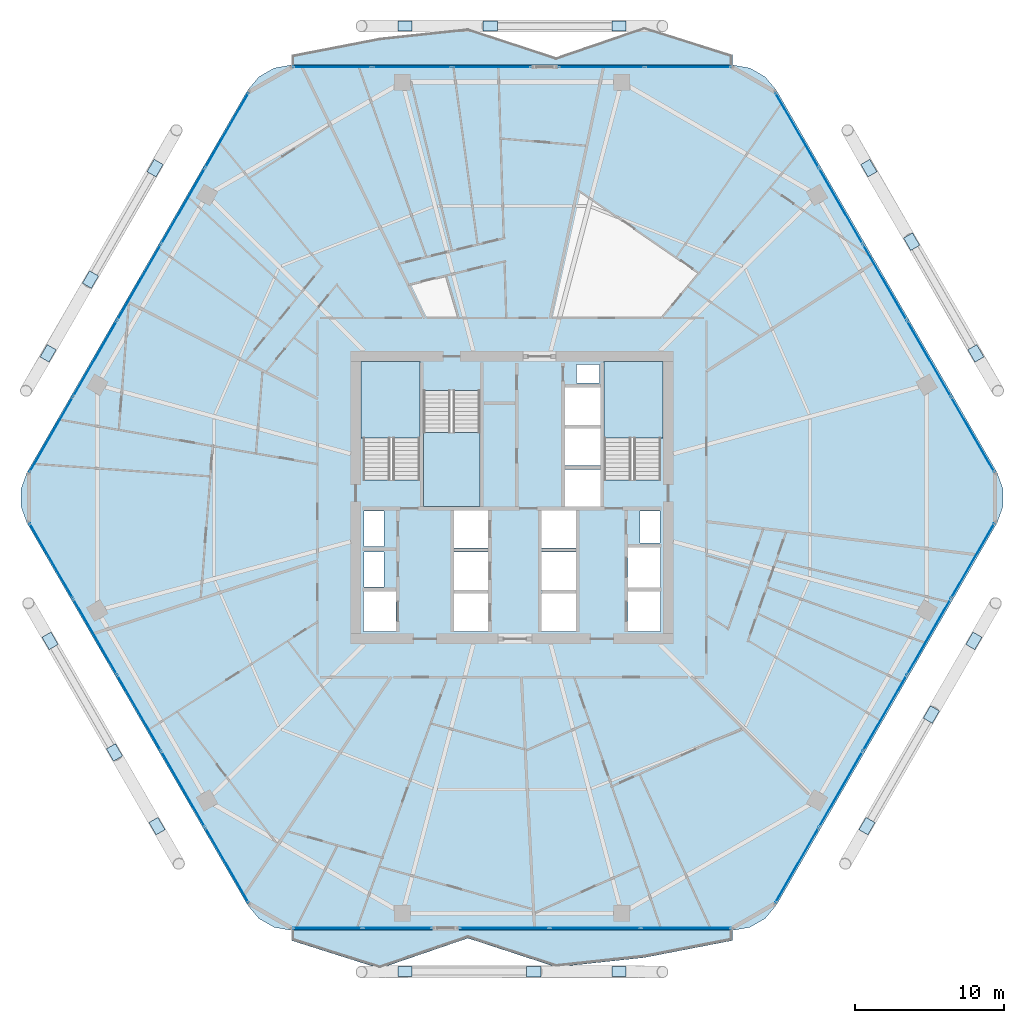
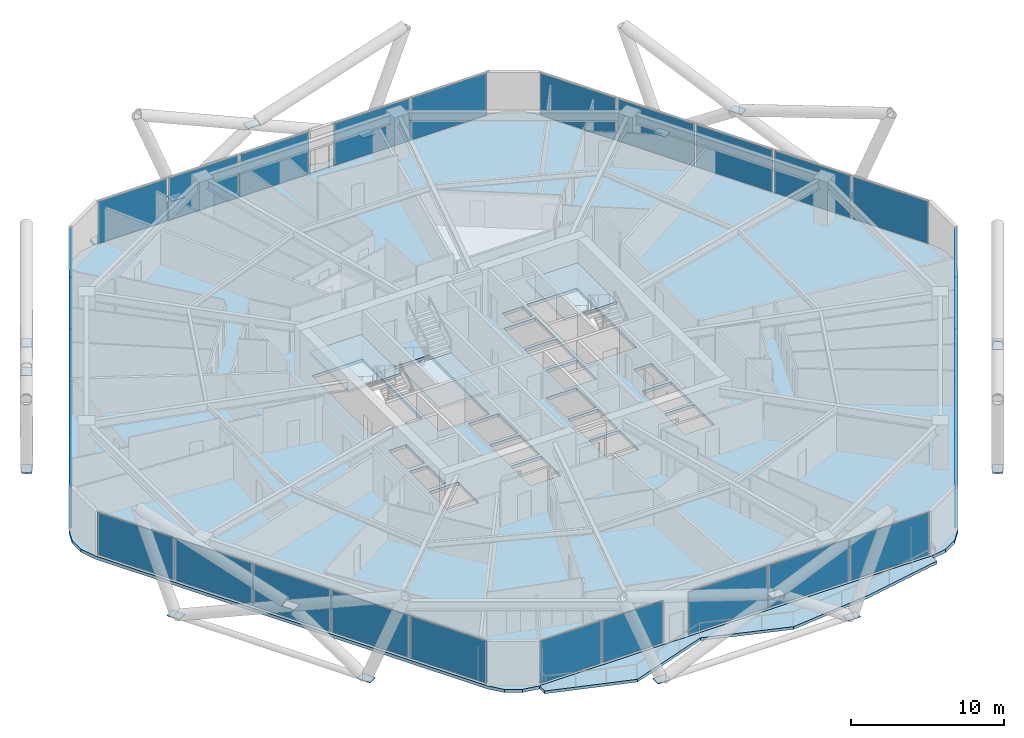
# One storey, part 26 of 35: 48 plates, 6 slabs, 11 elements without a shape of their own.
"""IFC4 building model written with IfcOpenShell, lengths in metres."""

from ifc_helpers import new_model, si_unit, direction, frame, origin, origin_2d, place, context, subcontext, project, spatial, polyline, rectangle, outline, extrude, material, layer, layer_set, type_object, element, aggregate, save


model = new_model("IFC4")

# Units and contexts
model_context = context("Model", 3, precision=1e-05, world=origin(), true_north=direction((0.0, 1.0)))
body_context = subcontext(model_context, "Body", "Model", "MODEL_VIEW")
ifc_project = project(units=[si_unit("LENGTHUNIT", "METRE"), si_unit("AREAUNIT", "SQUARE_METRE"), si_unit("VOLUMEUNIT", "CUBIC_METRE"), si_unit("PLANEANGLEUNIT", "RADIAN"), si_unit("MASSUNIT", "GRAM", prefix="KILO")], contexts=[model_context])

# Site, building, storey
site_placement = place(None, origin())
site = spatial("IfcSite", under=ifc_project, at=site_placement, CompositionType="ELEMENT")
building_placement = place(site_placement, origin())
building = spatial("IfcBuilding", under=site, at=building_placement, Name="Zuhravey Tower", CompositionType="ELEMENT")
storey_placement = place(building_placement, frame((0.0, 0.0, 115.199951171875)))
storey = spatial("IfcBuildingStorey", under=building, at=storey_placement, Name="L28", CompositionType="ELEMENT", Elevation=115.199951171875)

# Plates
ifc_material_1 = material(Name="Steel SM460", Category="steel")
ifc_layer_1 = layer(ifc_material_1, 0.0400390625)
ifc_layer_set_1 = layer_set([ifc_layer_1], Name="Steel SM460")
plate_type_1 = type_object("IfcPlateType", Name="Exoskeleton Zone 1 Node Plate ND1", PredefinedType="SHEET", material=ifc_layer_set_1)
for number, where, z_axis, x_axis, name in (
    (1, (67.19580078125, 41.7041015625, -0.48388671875), (0.0, 0.0, 1.0), (-0.5, 0.866025403784, 0.0), "L28 Exoskeleton Node Gusset L28-01"),
    (2, (60.001953125, 54.164306640625, -0.48388671875), (0.0, 0.0, 1.0), (-0.5, 0.866025403784, 0.0), "L28 Exoskeleton Node Gusset L28-02"),
    (3, (43.19384765625, 63.718505859375, -0.48388671875), (0.0, 0.0, 1.0), (-1.0, 0.0, 0.0), "L28 Exoskeleton Node Gusset L28-03"),
    (4, (28.80615234375, 63.718505859375, -0.48388671875), (0.0, 0.0, 1.0), (-1.0, 0.0, 0.0), "L28 Exoskeleton Node Gusset L28-04"),
    (5, (11.998046875, 54.164306640625, -0.48388671875), (0.0, 0.0, 1.0), (-0.5, -0.866025403784, 0.0), "L28 Exoskeleton Node Gusset L28-05"),
    (6, (4.80419921875, 41.7041015625, -0.48388671875), (0.0, 0.0, 1.0), (-0.5, -0.866025403784, 0.0), "L28 Exoskeleton Node Gusset L28-06"),
    (7, (4.93408203125, 22.370849609375, -0.48388671875), (0.0, 0.0, 1.0), (0.5, -0.866025403784, 0.0), "L28 Exoskeleton Node Gusset L28-07"),
    (8, (12.1279296875, 9.91064453125, -0.48388671875), (0.0, 0.0, 1.0), (0.5, -0.866025403784, 0.0), "L28 Exoskeleton Node Gusset L28-08"),
    (9, (28.80615234375, 0.131591796875, -0.48388671875), (0.0, 0.0, 1.0), (1.0, 0.0, 0.0), "L28 Exoskeleton Node Gusset L28-09"),
    (10, (43.19384765625, 0.131591796875, -0.48388671875), (0.0, 0.0, 1.0), (1.0, 0.0, 0.0), "L28 Exoskeleton Node Gusset L28-10"),
    (11, (59.8720703125, 9.91064453125, -0.48388671875), (0.0, 0.0, 1.0), (0.5, 0.866025403784, 0.0), "L28 Exoskeleton Node Gusset L28-11"),
    (12, (67.06591796875, 22.370849609375, -0.48388671875), (0.0, 0.0, 1.0), (0.5, 0.866025403784, 0.0), "L28 Exoskeleton Node Gusset L28-12"),
    (13, (62.876220703125, 49.216064453125, 3.31591796875), (0.0, 0.0, 1.0), (-0.5, 0.866025403784, 0.0), "L28 Face 1 Diagrid X-Crossing Plate"),
    (14, (34.528564453125, 63.718505859375, 3.31591796875), (0.0, 0.0, 1.0), (-1.0, 0.0, 0.0), "L28 Face 2 Diagrid X-Crossing Plate"),
    (15, (7.65234375, 46.66748046875, 3.31591796875), (0.0, 0.0, 1.0), (-0.5, -0.866025403784, 0.0), "L28 Face 3 Diagrid X-Crossing Plate"),
    (16, (9.266845703125, 14.866455078125, 3.31591796875), (0.0, 0.0, 1.0), (0.5, -0.866025403784, 0.0), "L28 Face 4 Diagrid X-Crossing Plate"),
    (17, (37.471435546875, 0.116455078125, 3.31591796875), (0.0, 0.0, 1.0), (1.0, 0.0, 0.0), "L28 Face 5 Diagrid X-Crossing Plate"),
    (18, (64.204833984375, 17.4150390625, 3.31591796875), (0.0, 0.0, 1.0), (0.5, 0.866025403784, 0.0), "L28 Face 6 Diagrid X-Crossing Plate"),
):
    element("IfcPlate", number, at=place(storey_placement, frame(where, z_axis=z_axis, x_axis=x_axis)), inside=storey, type_object=plate_type_1, Name=name, PredefinedType="SHEET", context=body_context, shape_type="SweptSolid", body=[
        extrude(rectangle(XDim=0.9599609375, YDim=0.699951171875, at=origin_2d()), origin(), (0.0, 0.0, 1.0), 0.0400390625),
    ])

# Slabs
ifc_material_2 = material(Name="Concrete C50/60", Category="concrete")
ifc_layer_2 = layer(ifc_material_2, 0.25)
ifc_layer_set_2 = layer_set([ifc_layer_2], Name="Concrete C50/60")
slab_type_1 = type_object("IfcSlabType", Name="Residential Acoustic Slab 250", PredefinedType="FLOOR", material=ifc_layer_set_2)
slab_1_placement = place(storey_placement, frame((0.0, 0.0, -0.25)))
element("IfcSlab", 19, at=slab_1_placement, inside=storey, type_object=slab_type_1, Name="L28 Floor Slab FS25", PredefinedType="FLOOR", context=body_context, shape_type="SweptSolid", body=[
    extrude(outline(polyline([(68.618408203125, 30.300048828125), (69.0224609375, 31.40966796875), (69.0224609375, 32.59033203125), (68.618408203125, 33.699951171875), (53.781494140625, 59.3984375), (53.0224609375, 60.302978515625), (52.0, 60.893310546875), (50.8369140625, 61.098388671875), (21.1630859375, 61.098388671875), (20.0, 60.893310546875), (18.9775390625, 60.302978515625), (18.218505859375, 59.3984375), (3.381591796875, 33.699951171875), (2.9775390625, 32.59033203125), (2.9775390625, 31.40966796875), (3.381591796875, 30.300048828125), (18.218505859375, 4.6015625), (18.9775390625, 3.697021484375), (20.0, 3.106689453125), (21.1630859375, 2.901611328125), (50.8369140625, 2.901611328125), (52.0, 3.106689453125), (53.0224609375, 3.697021484375), (53.781494140625, 4.6015625), (68.618408203125, 30.300048828125)]), holes=[polyline([(29.800048828125, 33.20068359375), (29.800048828125, 41.0), (26.0, 41.0), (26.0, 33.20068359375), (29.800048828125, 33.20068359375)]), polyline([(46.0, 33.20068359375), (46.0, 41.0), (42.199951171875, 41.0), (42.199951171875, 33.20068359375), (46.0, 33.20068359375)]), polyline([(30.050048828125, 39.199462890625), (30.050048828125, 31.39990234375), (33.85009765625, 31.39990234375), (33.85009765625, 39.199462890625), (30.050048828125, 39.199462890625)]), polyline([(32.10009765625, 23.0), (34.39990234375, 23.0), (34.39990234375, 25.550048828125), (32.10009765625, 25.550048828125), (32.10009765625, 23.0)]), polyline([(32.10009765625, 25.800048828125), (34.39990234375, 25.800048828125), (34.39990234375, 28.35009765625), (32.10009765625, 28.35009765625), (32.10009765625, 25.800048828125)]), polyline([(32.10009765625, 28.60009765625), (34.39990234375, 28.60009765625), (34.39990234375, 31.14990234375), (32.10009765625, 31.14990234375), (32.10009765625, 28.60009765625)]), polyline([(38.0, 23.0), (40.300048828125, 23.0), (40.300048828125, 25.550048828125), (38.0, 25.550048828125), (38.0, 23.0)]), polyline([(38.0, 25.800048828125), (40.300048828125, 25.800048828125), (40.300048828125, 28.35009765625), (38.0, 28.35009765625), (38.0, 25.800048828125)]), polyline([(38.0, 28.60009765625), (40.300048828125, 28.60009765625), (40.300048828125, 31.14990234375), (38.0, 31.14990234375), (38.0, 28.60009765625)]), polyline([(39.550048828125, 31.39990234375), (41.949951171875, 31.39990234375), (41.949951171875, 33.89990234375), (39.550048828125, 33.89990234375), (39.550048828125, 31.39990234375)]), polyline([(39.550048828125, 34.14990234375), (41.949951171875, 34.14990234375), (41.949951171875, 36.64990234375), (39.550048828125, 36.64990234375), (39.550048828125, 34.14990234375)]), polyline([(39.550048828125, 36.89990234375), (41.949951171875, 36.89990234375), (41.949951171875, 39.39990234375), (39.550048828125, 39.39990234375), (39.550048828125, 36.89990234375)]), polyline([(26.0, 23.0), (28.199951171875, 23.0), (28.199951171875, 25.699951171875), (26.0, 25.699951171875), (26.0, 23.0)]), polyline([(43.800048828125, 23.0), (46.0, 23.0), (46.0, 25.699951171875), (43.800048828125, 25.699951171875), (43.800048828125, 23.0)]), polyline([(43.800048828125, 25.949951171875), (46.0, 25.949951171875), (46.0, 28.64990234375), (43.800048828125, 28.64990234375), (43.800048828125, 25.949951171875)]), polyline([(26.050048828125, 26.0), (27.39990234375, 26.0), (27.39990234375, 28.35009765625), (26.050048828125, 28.35009765625), (26.050048828125, 26.0)]), polyline([(26.050048828125, 28.699951171875), (27.39990234375, 28.699951171875), (27.39990234375, 31.10009765625), (26.050048828125, 31.10009765625), (26.050048828125, 28.699951171875)]), polyline([(44.60009765625, 28.949951171875), (45.949951171875, 28.949951171875), (45.949951171875, 31.10009765625), (44.60009765625, 31.10009765625), (44.60009765625, 28.949951171875)]), polyline([(40.35009765625, 39.699951171875), (41.89990234375, 39.699951171875), (41.89990234375, 40.949951171875), (40.35009765625, 40.949951171875), (40.35009765625, 39.699951171875)])]), origin(), (0.0, 0.0, 1.0), 0.25),
])
ifc_material_3 = material(Name="Concrete C40/50", Category="concrete")
ifc_layer_3 = layer(ifc_material_3, 0.219970703125)
ifc_layer_set_3 = layer_set([ifc_layer_3], Name="Concrete C40/50")
slab_type_2 = type_object("IfcSlabType", Name="Sinusoidal Residential Wave Balcony 220", PredefinedType="FLOOR", material=ifc_layer_set_3)
slab_2_placement = place(storey_placement, frame((0.0, 0.0, -0.219970703125)))
element("IfcSlab", 20, at=slab_2_placement, inside=storey, type_object=slab_type_2, Name="L28 Face 5 Wave Balcony WB22", PredefinedType="FLOOR", context=body_context, shape_type="SweptSolid", body=[
    extrude(outline(polyline([(21.171630859375, 2.91650390625), (50.828369140625, 2.91650390625), (50.828369140625, 2.216552734375), (44.89697265625, 1.0693359375), (38.9658203125, 0.432373046875), (33.0341796875, 2.374755859375), (27.10302734375, 0.33984375), (21.171630859375, 2.216552734375), (21.171630859375, 2.91650390625)])), origin(), (0.0, 0.0, 1.0), 0.219970703125),
])
slab_3_placement = place(storey_placement, frame((0.0, 0.0, -0.219970703125)))
element("IfcSlab", 21, at=slab_3_placement, inside=storey, type_object=slab_type_2, Name="L28 Face 2 Wave Balcony WB22", PredefinedType="FLOOR", context=body_context, shape_type="SweptSolid", body=[
    extrude(outline(polyline([(50.828369140625, 61.08349609375), (21.171630859375, 61.08349609375), (21.171630859375, 61.783447265625), (27.10302734375, 62.9306640625), (33.0341796875, 63.567626953125), (38.9658203125, 61.625244140625), (44.89697265625, 63.66015625), (50.828369140625, 61.783447265625), (50.828369140625, 61.08349609375)])), origin(), (0.0, 0.0, 1.0), 0.219970703125),
])

# Stair, slab
stair_type = type_object("IfcStairType", Name="Housing Storey Stair Assembly 3800", PredefinedType="HALF_TURN_STAIR", material=ifc_material_3)
stair_1_placement = place(storey_placement, origin())
stair_1 = element("IfcStair", 22, at=stair_1_placement, inside=storey, type_object=stair_type, Name="L28 Core Exit Stair ST1", PredefinedType="HALF_TURN_STAIR")
ifc_layer_4 = layer(ifc_material_3, 0.199951171875)
ifc_layer_set_4 = layer_set([ifc_layer_4], Name="Concrete C40/50")
slab_type_3 = type_object("IfcSlabType", Name="Stair Landing Slab 200", PredefinedType="LANDING", material=ifc_layer_set_4)
slab_4_placement = place(storey_placement, frame((0.0, 0.0, 1.699951171875)))
slab_4 = element("IfcSlab", 23, at=slab_4_placement, type_object=slab_type_3, Name="ST1 landing 1", PredefinedType="LANDING", context=body_context, shape_type="SweptSolid", body=[
    extrude(outline(polyline([(29.800048828125, 36.0), (29.800048828125, 41.14794921875), (25.85205078125, 41.14794921875), (25.85205078125, 36.0), (29.800048828125, 36.0)])), origin(), (0.0, 0.0, 1.0), 0.2001953125),
])
aggregate(stair_1, [slab_4])

stair_2_placement = place(storey_placement, origin())
stair_2 = element("IfcStair", 24, at=stair_2_placement, inside=storey, type_object=stair_type, Name="L28 Core Exit Stair ST2", PredefinedType="HALF_TURN_STAIR")
slab_5_placement = place(storey_placement, frame((0.0, 0.0, 1.699951171875)))
slab_5 = element("IfcSlab", 25, at=slab_5_placement, type_object=slab_type_3, Name="ST2 landing 1", PredefinedType="LANDING", context=body_context, shape_type="SweptSolid", body=[
    extrude(outline(polyline([(46.14794921875, 36.0), (46.14794921875, 41.14794921875), (42.199951171875, 41.14794921875), (42.199951171875, 36.0), (46.14794921875, 36.0)])), origin(), (0.0, 0.0, 1.0), 0.2001953125),
])
aggregate(stair_2, [slab_5])

stair_3_placement = place(storey_placement, origin())
stair_3 = element("IfcStair", 26, at=stair_3_placement, inside=storey, type_object=stair_type, Name="L28 Core Exit Stair ST3", PredefinedType="HALF_TURN_STAIR")
slab_6_placement = place(storey_placement, frame((0.0, 0.0, 1.699951171875)))
slab_6 = element("IfcSlab", 27, at=slab_6_placement, type_object=slab_type_3, Name="ST3 landing 1", PredefinedType="LANDING", context=body_context, shape_type="SweptSolid", body=[
    extrude(outline(polyline([(30.050048828125, 36.39990234375), (30.050048828125, 31.39990234375), (33.85009765625, 31.39990234375), (33.85009765625, 36.39990234375), (30.050048828125, 36.39990234375)])), origin(), (0.0, 0.0, 1.0), 0.2001953125),
])
aggregate(stair_3, [slab_6])

# Curtain wall, plates
ifc_material_4 = material(Name="Thermally broken anodised aluminium", Category="aluminium")
curtain_wall_type = type_object("IfcCurtainWallType", Name="Zone 1-2 Residential Curtain Wall CW3", PredefinedType="NOTDEFINED", material=ifc_material_4)
curtain_wall_1_placement = place(storey_placement, origin())
curtain_wall_1 = element("IfcCurtainWall", 28, at=curtain_wall_1_placement, inside=storey, type_object=curtain_wall_type, Name="L28 CW3 CW-L28-F6-1", PredefinedType="NOTDEFINED")
ifc_material_5 = material(Name="Triple low-E insulated vision glass", Category="glass")
ifc_layer_5 = layer(ifc_material_5, 0.0419921875)
ifc_layer_set_5 = layer_set([ifc_layer_5], Name="Triple low-E insulated vision glass")
plate_type_2 = type_object("IfcPlateType", Name="Triple Low-E Vision Panel", PredefinedType="CURTAIN_PANEL", material=ifc_layer_set_5)
plate_1_placement = place(storey_placement, frame((66.9873046875, 27.754638671875, 0.090087890625), z_axis=(0.0, 0.0, 1.0), x_axis=(-0.499999794119, -0.86602552265, 0.0)))
plate_1 = element("IfcPlate", 29, at=plate_1_placement, type_object=plate_type_2, Name="CW3 panel 1.1", PredefinedType="CURTAIN_PANEL", context=body_context, shape_type="SweptSolid", body=[
    extrude(rectangle(XDim=5.784912109375, YDim=0.0419921875, at=origin_2d()), origin(), (0.0, 0.0, 1.0), 3.3701171875),
])
plate_2_placement = place(storey_placement, frame((64.03857421875, 22.6474609375, 0.090087890625), z_axis=(0.0, 0.0, 1.0), x_axis=(-0.499999794119, -0.86602552265, 0.0)))
plate_2 = element("IfcPlate", 30, at=plate_2_placement, type_object=plate_type_2, Name="CW3 panel 2.1", PredefinedType="CURTAIN_PANEL", context=body_context, shape_type="SweptSolid", body=[
    extrude(rectangle(XDim=5.829833984375, YDim=0.0419921875, at=origin_2d()), origin(), (0.0, 0.0, 1.0), 3.3701171875),
])
plate_3_placement = place(storey_placement, frame((61.078857421875, 17.520751953125, 0.090087890625), z_axis=(0.0, 0.0, 1.0), x_axis=(-0.499999794119, -0.86602552265, 0.0)))
plate_3 = element("IfcPlate", 31, at=plate_3_placement, type_object=plate_type_2, Name="CW3 panel 3.1", PredefinedType="CURTAIN_PANEL", context=body_context, shape_type="SweptSolid", body=[
    extrude(rectangle(XDim=5.829833984375, YDim=0.0419921875, at=origin_2d()), origin(), (0.0, 0.0, 1.0), 3.3701171875),
])
plate_4_placement = place(storey_placement, frame((58.118896484375, 12.39404296875, 0.090087890625), z_axis=(0.0, 0.0, 1.0), x_axis=(-0.499999794119, -0.86602552265, 0.0)))
plate_4 = element("IfcPlate", 32, at=plate_4_placement, type_object=plate_type_2, Name="CW3 panel 4.1", PredefinedType="CURTAIN_PANEL", context=body_context, shape_type="SweptSolid", body=[
    extrude(rectangle(XDim=5.829833984375, YDim=0.0419921875, at=origin_2d()), origin(), (0.0, 0.0, 1.0), 3.3701171875),
])
plate_5_placement = place(storey_placement, frame((55.170166015625, 7.286865234375, 0.090087890625), z_axis=(0.0, 0.0, 1.0), x_axis=(-0.499999794119, -0.86602552265, 0.0)))
plate_5 = element("IfcPlate", 33, at=plate_5_placement, type_object=plate_type_2, Name="CW3 panel 5.1", PredefinedType="CURTAIN_PANEL", context=body_context, shape_type="SweptSolid", body=[
    extrude(rectangle(XDim=5.784912109375, YDim=0.0419921875, at=origin_2d()), origin(), (0.0, 0.0, 1.0), 3.3701171875),
])
aggregate(curtain_wall_1, [plate_1, plate_2, plate_3, plate_4, plate_5])

curtain_wall_2_placement = place(storey_placement, origin())
curtain_wall_2 = element("IfcCurtainWall", 34, at=curtain_wall_2_placement, inside=storey, type_object=curtain_wall_type, Name="L28 CW3 CW-L28-F5-1", PredefinedType="NOTDEFINED")
plate_6_placement = place(storey_placement, frame((47.708251953125, 3.04150390625, 0.090087890625), z_axis=(0.0, 0.0, 1.0), x_axis=(-1.0, 0.0, 0.0)))
plate_6 = element("IfcPlate", 35, at=plate_6_placement, type_object=plate_type_2, Name="CW3 panel 1.1", PredefinedType="CURTAIN_PANEL", context=body_context, shape_type="SweptSolid", body=[
    extrude(rectangle(XDim=6.002197265625, YDim=0.0419921875, at=origin_2d()), origin(), (0.0, 0.0, 1.0), 3.3701171875),
])
plate_7_placement = place(storey_placement, frame((41.593505859375, 3.04150390625, 0.090087890625), z_axis=(0.0, 0.0, 1.0), x_axis=(-1.0, 0.0, 0.0)))
plate_7 = element("IfcPlate", 36, at=plate_7_placement, type_object=plate_type_2, Name="CW3 panel 2.1", PredefinedType="CURTAIN_PANEL", context=body_context, shape_type="SweptSolid", body=[
    extrude(rectangle(XDim=6.04736328125, YDim=0.0419921875, at=origin_2d()), origin(), (0.0, 0.0, 1.0), 3.3701171875),
])
plate_8_placement = place(storey_placement, frame((35.478759765625, 3.04150390625, 0.090087890625), z_axis=(0.0, 0.0, 1.0), x_axis=(-1.0, 0.0, 0.0)))
plate_8 = element("IfcPlate", 37, at=plate_8_placement, type_object=plate_type_2, Name="CW3 panel 3.1", PredefinedType="CURTAIN_PANEL", context=body_context, shape_type="SweptSolid", body=[
    extrude(rectangle(XDim=6.002197265625, YDim=0.0419921875, at=origin_2d()), origin(), (0.0, 0.0, 1.0), 3.3701171875),
])
aggregate(curtain_wall_2, [plate_6, plate_7, plate_8])

curtain_wall_3_placement = place(storey_placement, origin())
curtain_wall_3 = element("IfcCurtainWall", 38, at=curtain_wall_3_placement, inside=storey, type_object=curtain_wall_type, Name="L28 CW3 CW-L28-F5-2", PredefinedType="NOTDEFINED")
plate_9_placement = place(storey_placement, frame((28.29345703125, 3.04150390625, 0.090087890625), z_axis=(0.0, 0.0, 1.0), x_axis=(-1.0, 0.0, 0.0)))
plate_9 = element("IfcPlate", 39, at=plate_9_placement, type_object=plate_type_2, Name="CW3 panel 1.1", PredefinedType="CURTAIN_PANEL", context=body_context, shape_type="SweptSolid", body=[
    extrude(rectangle(XDim=4.608642578125, YDim=0.0419921875, at=origin_2d()), origin(), (0.0, 0.0, 1.0), 3.3701171875),
])
plate_10_placement = place(storey_placement, frame((23.5947265625, 3.04150390625, 0.090087890625), z_axis=(0.0, 0.0, 1.0), x_axis=(-1.0, 0.0, 0.0)))
plate_10 = element("IfcPlate", 40, at=plate_10_placement, type_object=plate_type_2, Name="CW3 panel 2.1", PredefinedType="CURTAIN_PANEL", context=body_context, shape_type="SweptSolid", body=[
    extrude(rectangle(XDim=4.608642578125, YDim=0.0419921875, at=origin_2d()), origin(), (0.0, 0.0, 1.0), 3.3701171875),
])
aggregate(curtain_wall_3, [plate_9, plate_10])

curtain_wall_4_placement = place(storey_placement, origin())
curtain_wall_4 = element("IfcCurtainWall", 41, at=curtain_wall_4_placement, inside=storey, type_object=curtain_wall_type, Name="L28 CW3 CW-L28-F4-1", PredefinedType="NOTDEFINED")
plate_11_placement = place(storey_placement, frame((16.829833984375, 7.286865234375, 0.090087890625), z_axis=(0.0, 0.0, 1.0), x_axis=(-0.499999794119, 0.86602552265, 0.0)))
plate_11 = element("IfcPlate", 42, at=plate_11_placement, type_object=plate_type_2, Name="CW3 panel 1.1", PredefinedType="CURTAIN_PANEL", context=body_context, shape_type="SweptSolid", body=[
    extrude(rectangle(XDim=5.784912109375, YDim=0.0419921875, at=origin_2d()), origin(), (0.0, 0.0, 1.0), 3.3701171875),
])
plate_12_placement = place(storey_placement, frame((13.881103515625, 12.39404296875, 0.090087890625), z_axis=(0.0, 0.0, 1.0), x_axis=(-0.499999794119, 0.86602552265, 0.0)))
plate_12 = element("IfcPlate", 43, at=plate_12_placement, type_object=plate_type_2, Name="CW3 panel 2.1", PredefinedType="CURTAIN_PANEL", context=body_context, shape_type="SweptSolid", body=[
    extrude(rectangle(XDim=5.829833984375, YDim=0.0419921875, at=origin_2d()), origin(), (0.0, 0.0, 1.0), 3.3701171875),
])
plate_13_placement = place(storey_placement, frame((10.921142578125, 17.520751953125, 0.090087890625), z_axis=(0.0, 0.0, 1.0), x_axis=(-0.499999794119, 0.86602552265, 0.0)))
plate_13 = element("IfcPlate", 44, at=plate_13_placement, type_object=plate_type_2, Name="CW3 panel 3.1", PredefinedType="CURTAIN_PANEL", context=body_context, shape_type="SweptSolid", body=[
    extrude(rectangle(XDim=5.829833984375, YDim=0.0419921875, at=origin_2d()), origin(), (0.0, 0.0, 1.0), 3.3701171875),
])
plate_14_placement = place(storey_placement, frame((7.96142578125, 22.6474609375, 0.090087890625), z_axis=(0.0, 0.0, 1.0), x_axis=(-0.499999794119, 0.86602552265, 0.0)))
plate_14 = element("IfcPlate", 45, at=plate_14_placement, type_object=plate_type_2, Name="CW3 panel 4.1", PredefinedType="CURTAIN_PANEL", context=body_context, shape_type="SweptSolid", body=[
    extrude(rectangle(XDim=5.829833984375, YDim=0.0419921875, at=origin_2d()), origin(), (0.0, 0.0, 1.0), 3.3701171875),
])
plate_15_placement = place(storey_placement, frame((5.0126953125, 27.754638671875, 0.090087890625), z_axis=(0.0, 0.0, 1.0), x_axis=(-0.499999794119, 0.86602552265, 0.0)))
plate_15 = element("IfcPlate", 46, at=plate_15_placement, type_object=plate_type_2, Name="CW3 panel 5.1", PredefinedType="CURTAIN_PANEL", context=body_context, shape_type="SweptSolid", body=[
    extrude(rectangle(XDim=5.784912109375, YDim=0.0419921875, at=origin_2d()), origin(), (0.0, 0.0, 1.0), 3.3701171875),
])
aggregate(curtain_wall_4, [plate_11, plate_12, plate_13, plate_14, plate_15])

curtain_wall_5_placement = place(storey_placement, origin())
curtain_wall_5 = element("IfcCurtainWall", 47, at=curtain_wall_5_placement, inside=storey, type_object=curtain_wall_type, Name="L28 CW3 CW-L28-F3-1", PredefinedType="NOTDEFINED")
plate_16_placement = place(storey_placement, frame((5.0126953125, 36.245361328125, 0.090087890625), z_axis=(0.0, 0.0, 1.0), x_axis=(0.499999794119, 0.86602552265, 0.0)))
plate_16 = element("IfcPlate", 48, at=plate_16_placement, type_object=plate_type_2, Name="CW3 panel 1.1", PredefinedType="CURTAIN_PANEL", context=body_context, shape_type="SweptSolid", body=[
    extrude(rectangle(XDim=5.784912109375, YDim=0.0419921875, at=origin_2d()), origin(), (0.0, 0.0, 1.0), 3.3701171875),
])
plate_17_placement = place(storey_placement, frame((7.96142578125, 41.3525390625, 0.090087890625), z_axis=(0.0, 0.0, 1.0), x_axis=(0.499999794119, 0.86602552265, 0.0)))
plate_17 = element("IfcPlate", 49, at=plate_17_placement, type_object=plate_type_2, Name="CW3 panel 2.1", PredefinedType="CURTAIN_PANEL", context=body_context, shape_type="SweptSolid", body=[
    extrude(rectangle(XDim=5.829833984375, YDim=0.0419921875, at=origin_2d()), origin(), (0.0, 0.0, 1.0), 3.3701171875),
])
plate_18_placement = place(storey_placement, frame((10.921142578125, 46.479248046875, 0.090087890625), z_axis=(0.0, 0.0, 1.0), x_axis=(0.499999794119, 0.86602552265, 0.0)))
plate_18 = element("IfcPlate", 50, at=plate_18_placement, type_object=plate_type_2, Name="CW3 panel 3.1", PredefinedType="CURTAIN_PANEL", context=body_context, shape_type="SweptSolid", body=[
    extrude(rectangle(XDim=5.829833984375, YDim=0.0419921875, at=origin_2d()), origin(), (0.0, 0.0, 1.0), 3.3701171875),
])
plate_19_placement = place(storey_placement, frame((13.881103515625, 51.60595703125, 0.090087890625), z_axis=(0.0, 0.0, 1.0), x_axis=(0.499999794119, 0.86602552265, 0.0)))
plate_19 = element("IfcPlate", 51, at=plate_19_placement, type_object=plate_type_2, Name="CW3 panel 4.1", PredefinedType="CURTAIN_PANEL", context=body_context, shape_type="SweptSolid", body=[
    extrude(rectangle(XDim=5.829833984375, YDim=0.0419921875, at=origin_2d()), origin(), (0.0, 0.0, 1.0), 3.3701171875),
])
plate_20_placement = place(storey_placement, frame((16.829833984375, 56.713134765625, 0.090087890625), z_axis=(0.0, 0.0, 1.0), x_axis=(0.499999794119, 0.86602552265, 0.0)))
plate_20 = element("IfcPlate", 52, at=plate_20_placement, type_object=plate_type_2, Name="CW3 panel 5.1", PredefinedType="CURTAIN_PANEL", context=body_context, shape_type="SweptSolid", body=[
    extrude(rectangle(XDim=5.784912109375, YDim=0.0419921875, at=origin_2d()), origin(), (0.0, 0.0, 1.0), 3.3701171875),
])
aggregate(curtain_wall_5, [plate_16, plate_17, plate_18, plate_19, plate_20])

curtain_wall_6_placement = place(storey_placement, origin())
curtain_wall_6 = element("IfcCurtainWall", 53, at=curtain_wall_6_placement, inside=storey, type_object=curtain_wall_type, Name="L28 CW3 CW-L28-F2-1", PredefinedType="NOTDEFINED")
plate_21_placement = place(storey_placement, frame((23.91357421875, 60.95849609375, 0.090087890625), z_axis=(0.0, 0.0, 1.0), x_axis=(1.0, 0.0, 0.0)))
plate_21 = element("IfcPlate", 54, at=plate_21_placement, type_object=plate_type_2, Name="CW3 panel 1.1", PredefinedType="CURTAIN_PANEL", context=body_context, shape_type="SweptSolid", body=[
    extrude(rectangle(XDim=5.24609375, YDim=0.0419921875, at=origin_2d()), origin(), (0.0, 0.0, 1.0), 3.3701171875),
])
plate_22_placement = place(storey_placement, frame((29.272216796875, 60.95849609375, 0.090087890625), z_axis=(0.0, 0.0, 1.0), x_axis=(1.0, 0.0, 0.0)))
plate_22 = element("IfcPlate", 55, at=plate_22_placement, type_object=plate_type_2, Name="CW3 panel 2.1", PredefinedType="CURTAIN_PANEL", context=body_context, shape_type="SweptSolid", body=[
    extrude(rectangle(XDim=5.291259765625, YDim=0.0419921875, at=origin_2d()), origin(), (0.0, 0.0, 1.0), 3.3701171875),
])
plate_23_placement = place(storey_placement, frame((34.630859375, 60.95849609375, 0.090087890625), z_axis=(0.0, 0.0, 1.0), x_axis=(1.0, 0.0, 0.0)))
plate_23 = element("IfcPlate", 56, at=plate_23_placement, type_object=plate_type_2, Name="CW3 panel 3.1", PredefinedType="CURTAIN_PANEL", context=body_context, shape_type="SweptSolid", body=[
    extrude(rectangle(XDim=5.24609375, YDim=0.0419921875, at=origin_2d()), origin(), (0.0, 0.0, 1.0), 3.3701171875),
])
aggregate(curtain_wall_6, [plate_21, plate_22, plate_23])

curtain_wall_7_placement = place(storey_placement, origin())
curtain_wall_7 = element("IfcCurtainWall", 57, at=curtain_wall_7_placement, inside=storey, type_object=curtain_wall_type, Name="L28 CW3 CW-L28-F2-2", PredefinedType="NOTDEFINED")
plate_24_placement = place(storey_placement, frame((42.00537109375, 60.95849609375, 0.090087890625), z_axis=(0.0, 0.0, 1.0), x_axis=(1.0, 0.0, 0.0)))
plate_24 = element("IfcPlate", 58, at=plate_24_placement, type_object=plate_type_2, Name="CW3 panel 1.1", PredefinedType="CURTAIN_PANEL", context=body_context, shape_type="SweptSolid", body=[
    extrude(rectangle(XDim=5.74267578125, YDim=0.0419921875, at=origin_2d()), origin(), (0.0, 0.0, 1.0), 3.3701171875),
])
plate_25_placement = place(storey_placement, frame((47.838134765625, 60.95849609375, 0.090087890625), z_axis=(0.0, 0.0, 1.0), x_axis=(1.0, 0.0, 0.0)))
plate_25 = element("IfcPlate", 59, at=plate_25_placement, type_object=plate_type_2, Name="CW3 panel 2.1", PredefinedType="CURTAIN_PANEL", context=body_context, shape_type="SweptSolid", body=[
    extrude(rectangle(XDim=5.74267578125, YDim=0.0419921875, at=origin_2d()), origin(), (0.0, 0.0, 1.0), 3.3701171875),
])
aggregate(curtain_wall_7, [plate_24, plate_25])

curtain_wall_8_placement = place(storey_placement, origin())
curtain_wall_8 = element("IfcCurtainWall", 60, at=curtain_wall_8_placement, inside=storey, type_object=curtain_wall_type, Name="L28 CW3 CW-L28-F1-1", PredefinedType="NOTDEFINED")
plate_26_placement = place(storey_placement, frame((55.170166015625, 56.713134765625, 0.090087890625), z_axis=(0.0, 0.0, 1.0), x_axis=(0.499999794119, -0.86602552265, 0.0)))
plate_26 = element("IfcPlate", 61, at=plate_26_placement, type_object=plate_type_2, Name="CW3 panel 1.1", PredefinedType="CURTAIN_PANEL", context=body_context, shape_type="SweptSolid", body=[
    extrude(rectangle(XDim=5.784912109375, YDim=0.0419921875, at=origin_2d()), origin(), (0.0, 0.0, 1.0), 3.3701171875),
])
plate_27_placement = place(storey_placement, frame((58.118896484375, 51.60595703125, 0.090087890625), z_axis=(0.0, 0.0, 1.0), x_axis=(0.499999794119, -0.86602552265, 0.0)))
plate_27 = element("IfcPlate", 62, at=plate_27_placement, type_object=plate_type_2, Name="CW3 panel 2.1", PredefinedType="CURTAIN_PANEL", context=body_context, shape_type="SweptSolid", body=[
    extrude(rectangle(XDim=5.829833984375, YDim=0.0419921875, at=origin_2d()), origin(), (0.0, 0.0, 1.0), 3.3701171875),
])
plate_28_placement = place(storey_placement, frame((61.078857421875, 46.479248046875, 0.090087890625), z_axis=(0.0, 0.0, 1.0), x_axis=(0.499999794119, -0.86602552265, 0.0)))
plate_28 = element("IfcPlate", 63, at=plate_28_placement, type_object=plate_type_2, Name="CW3 panel 3.1", PredefinedType="CURTAIN_PANEL", context=body_context, shape_type="SweptSolid", body=[
    extrude(rectangle(XDim=5.829833984375, YDim=0.0419921875, at=origin_2d()), origin(), (0.0, 0.0, 1.0), 3.3701171875),
])
plate_29_placement = place(storey_placement, frame((64.03857421875, 41.3525390625, 0.090087890625), z_axis=(0.0, 0.0, 1.0), x_axis=(0.499999794119, -0.86602552265, 0.0)))
plate_29 = element("IfcPlate", 64, at=plate_29_placement, type_object=plate_type_2, Name="CW3 panel 4.1", PredefinedType="CURTAIN_PANEL", context=body_context, shape_type="SweptSolid", body=[
    extrude(rectangle(XDim=5.829833984375, YDim=0.0419921875, at=origin_2d()), origin(), (0.0, 0.0, 1.0), 3.3701171875),
])
plate_30_placement = place(storey_placement, frame((66.9873046875, 36.245361328125, 0.090087890625), z_axis=(0.0, 0.0, 1.0), x_axis=(0.499999794119, -0.86602552265, 0.0)))
plate_30 = element("IfcPlate", 65, at=plate_30_placement, type_object=plate_type_2, Name="CW3 panel 5.1", PredefinedType="CURTAIN_PANEL", context=body_context, shape_type="SweptSolid", body=[
    extrude(rectangle(XDim=5.784912109375, YDim=0.0419921875, at=origin_2d()), origin(), (0.0, 0.0, 1.0), 3.3701171875),
])
aggregate(curtain_wall_8, [plate_26, plate_27, plate_28, plate_29, plate_30])

save(model, "model.ifc")
